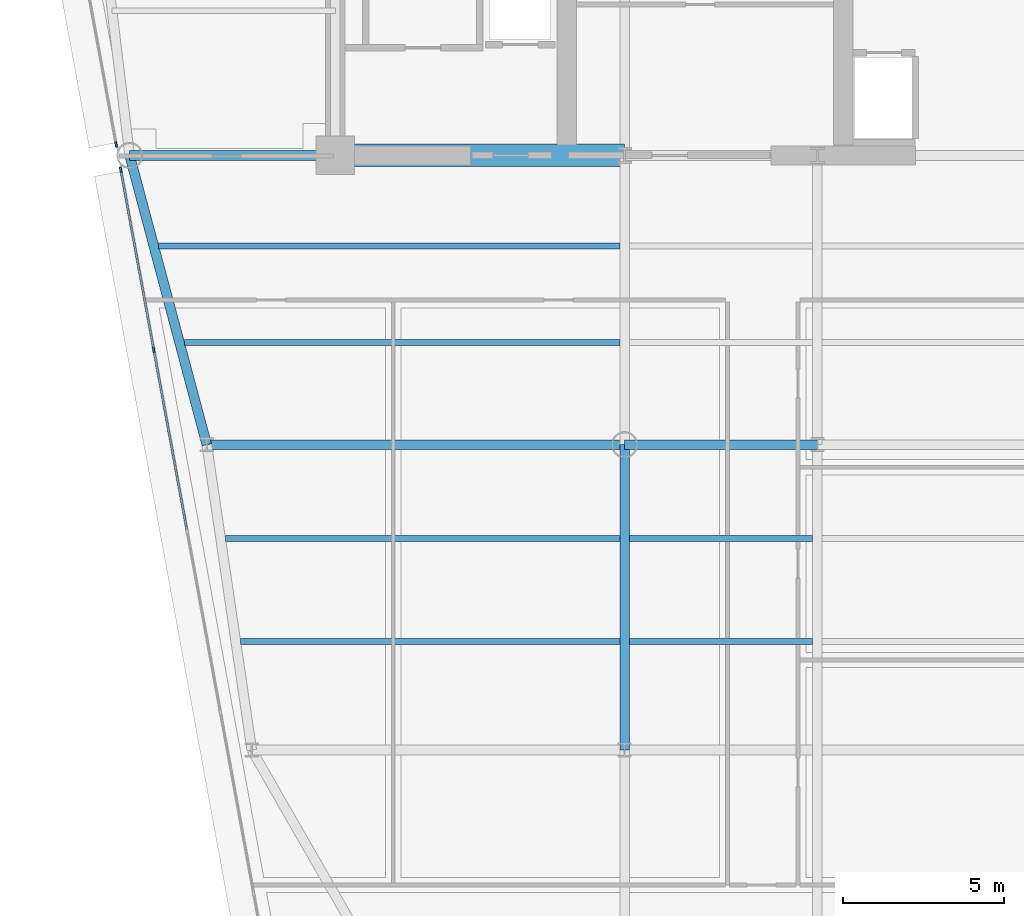
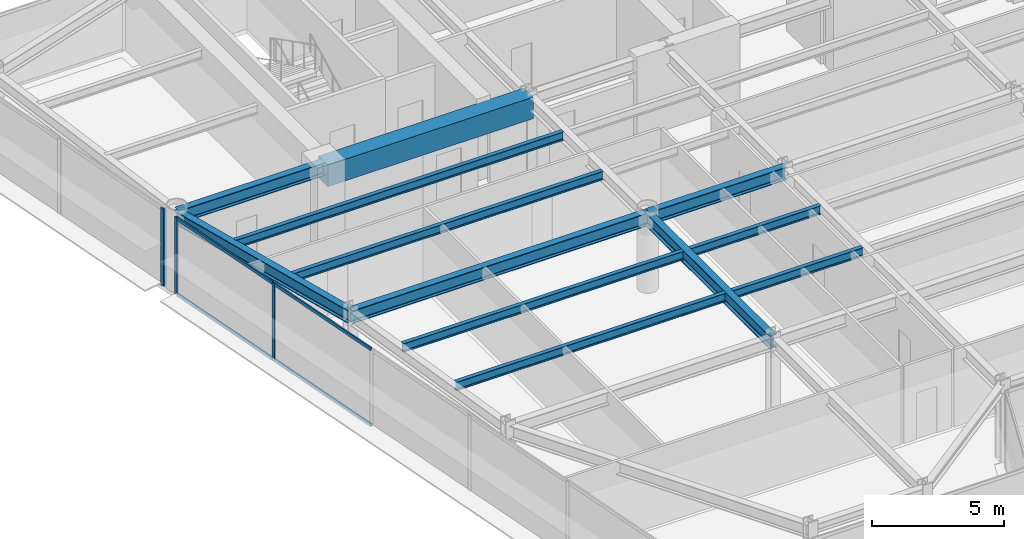
# One storey, part 4 of 16: 12 beams, 7 members, 2 elements without a shape of their own.
"""IFC4 building model written with IfcOpenShell, lengths in metres."""

from ifc_helpers import new_model, si_unit, direction, frame, origin, origin_2d, place, context, subcontext, project, spatial, rectangle, i_section, extrude, source, transform, mapped, material, layer, layer_set, material_profile, profile_set, type_object, element, aggregate, save


model = new_model("IFC4")

# Units and contexts
model_context = context("Model", 3, precision=1e-05, world=origin(), true_north=direction((0.0, 1.0)))
body_context = subcontext(model_context, "Body", "Model", "MODEL_VIEW")
ifc_project = project(units=[si_unit("LENGTHUNIT", "METRE"), si_unit("AREAUNIT", "SQUARE_METRE"), si_unit("VOLUMEUNIT", "CUBIC_METRE"), si_unit("PLANEANGLEUNIT", "RADIAN"), si_unit("MASSUNIT", "GRAM", prefix="KILO")], contexts=[model_context])

# Site, building, storey
site_placement = place(None, origin())
site = spatial("IfcSite", under=ifc_project, at=site_placement, CompositionType="ELEMENT")
building_placement = place(site_placement, origin())
building = spatial("IfcBuilding", under=site, at=building_placement, Name="Vaeldorn Concourse Tower", CompositionType="ELEMENT")
storey_placement = place(building_placement, frame((0.0, 0.0, 195.60009765625)))
storey = spatial("IfcBuildingStorey", under=building, at=storey_placement, Name="L50", CompositionType="ELEMENT", Elevation=195.60009765625)

# Beams
ifc_material_1 = material(Name="Concrete C50/60", Category="concrete")
ifc_material_profile_1 = material_profile(ifc_material_1, rectangle(XDim=0.699951171875, YDim=1.0, at=origin_2d()), Name="RC 700x1000")
ifc_profile_set_1 = profile_set([ifc_material_profile_1], Name="Concrete C50/60")
beam_type_1 = type_object("IfcBeamType", Name="BM-CB-RC700", PredefinedType="BEAM", material=ifc_profile_set_1)
shared_shape_1 = source(origin(), body_context, "Body", "SweptSolid", [
    extrude(rectangle(XDim=0.699951171875, YDim=1.0, at=origin_2d()), origin(), (0.0, 0.0, 1.0), 9.0),
])
beam_1_placement = place(storey_placement, frame((14.0, 36.5, 3.079833984375), z_axis=(1.0, 0.0, 0.0), x_axis=(0.0, 1.0, 0.0)))
element("IfcBeam", 1, at=beam_1_placement, inside=storey, type_object=beam_type_1, Name="Core Coupling Beam L50-1", PredefinedType="BEAM", context=body_context, shape_type="MappedRepresentation", body=[
    mapped(shared_shape_1, transform((0.0, 0.0, 0.0), scale=1.0)),
])
ifc_material_2 = material(Name="Steel S355", Category="steel")
ifc_material_profile_2 = material_profile(ifc_material_2, i_section(OverallWidth=0.300048828125, OverallDepth=0.60009765625, WebThickness=0.015380859375, FlangeThickness=0.030029296875, FilletRadius=0.027099609375, at=origin_2d()), Name="HEB 600")
ifc_profile_set_2 = profile_set([ifc_material_profile_2], Name="Steel S355")
beam_type_2 = type_object("IfcBeamType", Name="BM-PG-HEB600", PredefinedType="BEAM", material=ifc_profile_set_2)
shared_shape_2 = source(origin(), body_context, "Body", "SweptSolid", [
    extrude(i_section(OverallWidth=0.300048828125, OverallDepth=0.60009765625, WebThickness=0.015380859375, FlangeThickness=0.030029296875, FilletRadius=0.027099609375, at=origin_2d()), origin(), (0.0, 0.0, 1.0), 6.0),
])
beam_2_placement = place(storey_placement, frame((23.0, 27.5, 3.27978515625), z_axis=(1.0, 0.0, 0.0), x_axis=(0.0, 1.0, 0.0)))
element("IfcBeam", 2, at=beam_2_placement, inside=storey, type_object=beam_type_2, Name="Beam BM-L50-C-TW1-C-TW2", PredefinedType="BEAM", context=body_context, shape_type="MappedRepresentation", body=[
    mapped(shared_shape_2, transform((0.0, 0.0, 0.0), scale=1.0)),
])
shared_shape_3 = source(origin(), body_context, "Body", "SweptSolid", [
    extrude(i_section(OverallWidth=0.300048828125, OverallDepth=0.60009765625, WebThickness=0.015380859375, FlangeThickness=0.030029296875, FilletRadius=0.027099609375, at=origin_2d()), origin(), (0.0, 0.0, 1.0), 6.39990234375),
])
beam_3_placement = place(storey_placement, frame((7.60009765625, 36.5, 3.27978515625), z_axis=(1.0, 0.0, 0.0), x_axis=(0.0, 1.0, 0.0)))
element("IfcBeam", 3, at=beam_3_placement, inside=storey, type_object=beam_type_2, Name="Beam BM-L50-C-NW2-C-FC1", PredefinedType="BEAM", context=body_context, shape_type="MappedRepresentation", body=[
    mapped(shared_shape_3, transform((0.0, 0.0, 0.0), scale=1.0)),
])
shared_shape_4 = source(origin(), body_context, "Body", "SweptSolid", [
    extrude(i_section(OverallWidth=0.300048828125, OverallDepth=0.60009765625, WebThickness=0.015380859375, FlangeThickness=0.030029296875, FilletRadius=0.027099609375, at=origin_2d()), origin(), (0.0, 0.0, 1.0), 9.314453125),
])
beam_4_placement = place(storey_placement, frame((7.60009765625, 36.5, 3.27978515625), z_axis=(0.257652862255, -0.966237549763, 0.0), x_axis=(0.966237549763, 0.257652862255, 0.0)))
element("IfcBeam", 4, at=beam_4_placement, inside=storey, type_object=beam_type_2, Name="Beam BM-L50-C-NW2-C-FLW1", PredefinedType="BEAM", context=body_context, shape_type="MappedRepresentation", body=[
    mapped(shared_shape_4, transform((0.0, 0.0, 0.0), scale=1.0)),
])
shared_shape_5 = source(origin(), body_context, "Body", "SweptSolid", [
    extrude(i_section(OverallWidth=0.300048828125, OverallDepth=0.60009765625, WebThickness=0.015380859375, FlangeThickness=0.030029296875, FilletRadius=0.027099609375, at=origin_2d()), origin(), (0.0, 0.0, 1.0), 13.0),
])
beam_5_placement = place(storey_placement, frame((10.0, 27.5, 3.27978515625), z_axis=(1.0, 0.0, 0.0), x_axis=(0.0, 1.0, 0.0)))
element("IfcBeam", 5, at=beam_5_placement, inside=storey, type_object=beam_type_2, Name="Beam BM-L50-C-FLW1-C-TW1", PredefinedType="BEAM", context=body_context, shape_type="MappedRepresentation", body=[
    mapped(shared_shape_5, transform((0.0, 0.0, 0.0), scale=1.0)),
])
shared_shape_6 = source(origin(), body_context, "Body", "SweptSolid", [
    extrude(i_section(OverallWidth=0.300048828125, OverallDepth=0.60009765625, WebThickness=0.015380859375, FlangeThickness=0.030029296875, FilletRadius=0.027099609375, at=origin_2d()), origin(), (0.0, 0.0, 1.0), 9.5),
])
beam_6_placement = place(storey_placement, frame((23.0, 18.0, 3.27978515625), z_axis=(0.0, 1.0, 0.0), x_axis=(-1.0, 0.0, 0.0)))
element("IfcBeam", 6, at=beam_6_placement, inside=storey, type_object=beam_type_2, Name="Beam BM-L50-C-TW5-C-TW1", PredefinedType="BEAM", context=body_context, shape_type="MappedRepresentation", body=[
    mapped(shared_shape_6, transform((0.0, 0.0, 0.0), scale=1.0)),
])
ifc_material_profile_3 = material_profile(ifc_material_2, i_section(OverallWidth=0.179931640625, OverallDepth=0.39990234375, WebThickness=0.008544921875, FlangeThickness=0.013427734375, FilletRadius=0.02099609375, at=origin_2d()), Name="IPE 400")
ifc_profile_set_3 = profile_set([ifc_material_profile_3], Name="Steel S355")
beam_type_3 = type_object("IfcBeamType", Name="BM-JS-IPE400", PredefinedType="JOIST", material=ifc_profile_set_3)
shared_shape_7 = source(origin(), body_context, "Body", "SweptSolid", [
    extrude(i_section(OverallWidth=0.179931640625, OverallDepth=0.39990234375, WebThickness=0.008544921875, FlangeThickness=0.013427734375, FilletRadius=0.02099609375, at=origin_2d()), origin(), (0.0, 0.0, 1.0), 11.798095703125),
])
beam_7_placement = place(storey_placement, frame((11.052001953125, 21.3798828125, 3.3798828125), z_axis=(1.0, 0.0, 0.0), x_axis=(0.0, 1.0, 0.0)))
element("IfcBeam", 7, at=beam_7_placement, inside=storey, type_object=beam_type_3, Name="Beam JS-L50-W1-213", PredefinedType="JOIST", context=body_context, shape_type="MappedRepresentation", body=[
    mapped(shared_shape_7, transform((0.0, 0.0, 0.0), scale=1.0)),
])
shared_shape_8 = source(origin(), body_context, "Body", "SweptSolid", [
    extrude(i_section(OverallWidth=0.179931640625, OverallDepth=0.39990234375, WebThickness=0.008544921875, FlangeThickness=0.013427734375, FilletRadius=0.02099609375, at=origin_2d()), origin(), (0.0, 0.0, 1.0), 5.7001953125),
])
for number, where, z_axis, x_axis, name in (
    (8, (23.14990234375, 21.3798828125, 3.3798828125), (1.0, 0.0, 0.0), (0.0, 1.0, 0.0), "Beam JS-L50-W2-213"),
    (9, (23.14990234375, 24.580078125, 3.3798828125), (1.0, 0.0, 0.0), (0.0, 1.0, 0.0), "Beam JS-L50-W2-245"),
):
    element("IfcBeam", number, at=place(storey_placement, frame(where, z_axis=z_axis, x_axis=x_axis)), inside=storey, type_object=beam_type_3, Name=name, PredefinedType="JOIST", context=body_context, shape_type="MappedRepresentation", body=[
        mapped(shared_shape_8, transform((0.0, 0.0, 0.0), scale=1.0)),
    ])
shared_shape_9 = source(origin(), body_context, "Body", "SweptSolid", [
    extrude(i_section(OverallWidth=0.179931640625, OverallDepth=0.39990234375, WebThickness=0.008544921875, FlangeThickness=0.013427734375, FilletRadius=0.02099609375, at=origin_2d()), origin(), (0.0, 0.0, 1.0), 12.269775390625),
])
beam_8_placement = place(storey_placement, frame((10.580322265625, 24.580078125, 3.3798828125), z_axis=(1.0, 0.0, 0.0), x_axis=(0.0, 1.0, 0.0)))
element("IfcBeam", 10, at=beam_8_placement, inside=storey, type_object=beam_type_3, Name="Beam JS-L50-W1-245", PredefinedType="JOIST", context=body_context, shape_type="MappedRepresentation", body=[
    mapped(shared_shape_9, transform((0.0, 0.0, 0.0), scale=1.0)),
])
shared_shape_10 = source(origin(), body_context, "Body", "SweptSolid", [
    extrude(i_section(OverallWidth=0.179931640625, OverallDepth=0.39990234375, WebThickness=0.008544921875, FlangeThickness=0.013427734375, FilletRadius=0.02099609375, at=origin_2d()), origin(), (0.0, 0.0, 1.0), 13.548095703125),
])
beam_9_placement = place(storey_placement, frame((9.302001953125, 30.679931640625, 3.3798828125), z_axis=(1.0, 0.0, 0.0), x_axis=(0.0, 1.0, 0.0)))
element("IfcBeam", 11, at=beam_9_placement, inside=storey, type_object=beam_type_3, Name="Beam JS-L50-W1-306", PredefinedType="JOIST", context=body_context, shape_type="MappedRepresentation", body=[
    mapped(shared_shape_10, transform((0.0, 0.0, 0.0), scale=1.0)),
])
shared_shape_11 = source(origin(), body_context, "Body", "SweptSolid", [
    extrude(i_section(OverallWidth=0.179931640625, OverallDepth=0.39990234375, WebThickness=0.008544921875, FlangeThickness=0.013427734375, FilletRadius=0.02099609375, at=origin_2d()), origin(), (0.0, 0.0, 1.0), 14.34814453125),
])
beam_10_placement = place(storey_placement, frame((8.501953125, 33.679931640625, 3.3798828125), z_axis=(1.0, 0.0, 0.0), x_axis=(0.0, 1.0, 0.0)))
element("IfcBeam", 12, at=beam_10_placement, inside=storey, type_object=beam_type_3, Name="Beam JS-L50-W1-336", PredefinedType="JOIST", context=body_context, shape_type="MappedRepresentation", body=[
    mapped(shared_shape_11, transform((0.0, 0.0, 0.0), scale=1.0)),
])

# Curtain wall, member
ifc_material_3 = material(Name="Anodised Bronze Aluminium", Category="aluminium")
ifc_layer = layer(ifc_material_3, 0.18994140625)
ifc_layer_set = layer_set([ifc_layer], Name="Anodised Bronze Aluminium")
curtain_wall_type = type_object("IfcCurtainWallType", Name="CW-SYS-03", PredefinedType="NOTDEFINED", material=ifc_layer_set)
curtain_wall_1_placement = place(storey_placement, origin())
curtain_wall_1 = element("IfcCurtainWall", 13, at=curtain_wall_1_placement, inside=storey, type_object=curtain_wall_type, Name="Unitised Curtain Wall CW-L50-E11-1", PredefinedType="NOTDEFINED")
ifc_material_profile_4 = material_profile(ifc_material_3, rectangle(XDim=0.06494140625, YDim=0.169921875, at=origin_2d()), Name="CWM 65x170")
ifc_profile_set_4 = profile_set([ifc_material_profile_4], Name="Anodised Bronze Aluminium")
member_type_1 = type_object("IfcMemberType", Name="CWM-BRONZE-170", PredefinedType="MULLION", material=ifc_profile_set_4)
shared_shape_12 = source(origin(), body_context, "Body", "SweptSolid", [
    extrude(rectangle(XDim=0.06494140625, YDim=0.169921875, at=origin_2d()), origin(), (0.0, 0.0, 1.0), 3.579833984375),
])
member_1_placement = place(storey_placement, frame((7.177734375, 36.83935546875, 0.0), z_axis=(0.0, 0.0, 1.0), x_axis=(0.983559459619, 0.180584576845, 0.0)))
member_1 = element("IfcMember", 14, at=member_1_placement, type_object=member_type_1, Name="CW-03 mullion 3", PredefinedType="MULLION", context=body_context, shape_type="MappedRepresentation", body=[
    mapped(shared_shape_12, transform((0.0, 0.0, 0.0), scale=1.0)),
])
aggregate(curtain_wall_1, [member_1])

# Curtain wall, members
curtain_wall_2_placement = place(storey_placement, origin())
curtain_wall_2 = element("IfcCurtainWall", 15, at=curtain_wall_2_placement, inside=storey, type_object=curtain_wall_type, Name="Unitised Curtain Wall CW-L50-E11-2", PredefinedType="NOTDEFINED")
member_2_placement = place(storey_placement, frame((7.322265625, 36.051513671875, 0.0), z_axis=(0.0, 0.0, 1.0), x_axis=(0.983559325018, 0.180585309951, 0.0)))
member_2 = element("IfcMember", 16, at=member_2_placement, type_object=member_type_1, Name="CW-03 mullion 1", PredefinedType="MULLION", context=body_context, shape_type="MappedRepresentation", body=[
    mapped(shared_shape_12, transform((0.0, 0.0, 0.0), scale=1.0)),
])
member_3_placement = place(storey_placement, frame((8.351318359375, 30.44677734375, 0.0), z_axis=(0.0, 0.0, 1.0), x_axis=(0.983559325018, 0.180585309951, 0.0)))
member_3 = element("IfcMember", 17, at=member_3_placement, type_object=member_type_1, Name="CW-03 mullion 2", PredefinedType="MULLION", context=body_context, shape_type="MappedRepresentation", body=[
    mapped(shared_shape_12, transform((0.0, 0.0, 0.0), scale=1.0)),
])
ifc_material_profile_5 = material_profile(ifc_material_3, rectangle(XDim=0.06494140625, YDim=0.14990234375, at=origin_2d()), Name="CWT 65x150")
ifc_profile_set_5 = profile_set([ifc_material_profile_5], Name="Anodised Bronze Aluminium")
member_type_2 = type_object("IfcMemberType", Name="CWT-BRONZE-150", PredefinedType="USERDEFINED", material=ifc_profile_set_5)
shared_shape_13 = source(origin(), body_context, "Body", "SweptSolid", [
    extrude(rectangle(XDim=0.06494140625, YDim=0.14990234375, at=origin_2d()), origin(), (0.0, 0.0, 1.0), 5.63330078125),
])
member_4_placement = place(storey_placement, frame((7.328125, 36.01953125, 0.032470703125), z_axis=(0.180589917692, -0.983558479008, 0.0), x_axis=(0.983558479008, 0.180589917692, 0.0)))
member_4 = element("IfcMember", 18, at=member_4_placement, type_object=member_type_2, Name="CW-03 transom 1.1", ObjectType="TRANSOM", PredefinedType="USERDEFINED", context=body_context, shape_type="MappedRepresentation", body=[
    mapped(shared_shape_13, transform((0.0, 0.0, 0.0), scale=1.0)),
])
member_5_placement = place(storey_placement, frame((7.328125, 36.01953125, 3.54736328125), z_axis=(0.180589917692, -0.983558479008, 0.0), x_axis=(0.983558479008, 0.180589917692, 0.0)))
member_5 = element("IfcMember", 19, at=member_5_placement, type_object=member_type_2, Name="CW-03 transom 1.2", ObjectType="TRANSOM", PredefinedType="USERDEFINED", context=body_context, shape_type="MappedRepresentation", body=[
    mapped(shared_shape_13, transform((0.0, 0.0, 0.0), scale=1.0)),
])
shared_shape_14 = source(origin(), body_context, "Body", "SweptSolid", [
    extrude(rectangle(XDim=0.06494140625, YDim=0.14990234375, at=origin_2d()), origin(), (0.0, 0.0, 1.0), 5.666015625),
])
member_6_placement = place(storey_placement, frame((8.357177734375, 30.414794921875, 0.032470703125), z_axis=(0.180587719149, -0.983558882677, 0.0), x_axis=(0.983558882677, 0.180587719149, 0.0)))
member_6 = element("IfcMember", 20, at=member_6_placement, type_object=member_type_2, Name="CW-03 transom 2.1", ObjectType="TRANSOM", PredefinedType="USERDEFINED", context=body_context, shape_type="MappedRepresentation", body=[
    mapped(shared_shape_14, transform((0.0, 0.0, 0.0), scale=1.0)),
])
member_7_placement = place(storey_placement, frame((8.357177734375, 30.414794921875, 3.54736328125), z_axis=(0.180587719149, -0.983558882677, 0.0), x_axis=(0.983558882677, 0.180587719149, 0.0)))
member_7 = element("IfcMember", 21, at=member_7_placement, type_object=member_type_2, Name="CW-03 transom 2.2", ObjectType="TRANSOM", PredefinedType="USERDEFINED", context=body_context, shape_type="MappedRepresentation", body=[
    mapped(shared_shape_14, transform((0.0, 0.0, 0.0), scale=1.0)),
])
aggregate(curtain_wall_2, [member_2, member_3, member_4, member_5, member_6, member_7])

save(model, "model.ifc")
